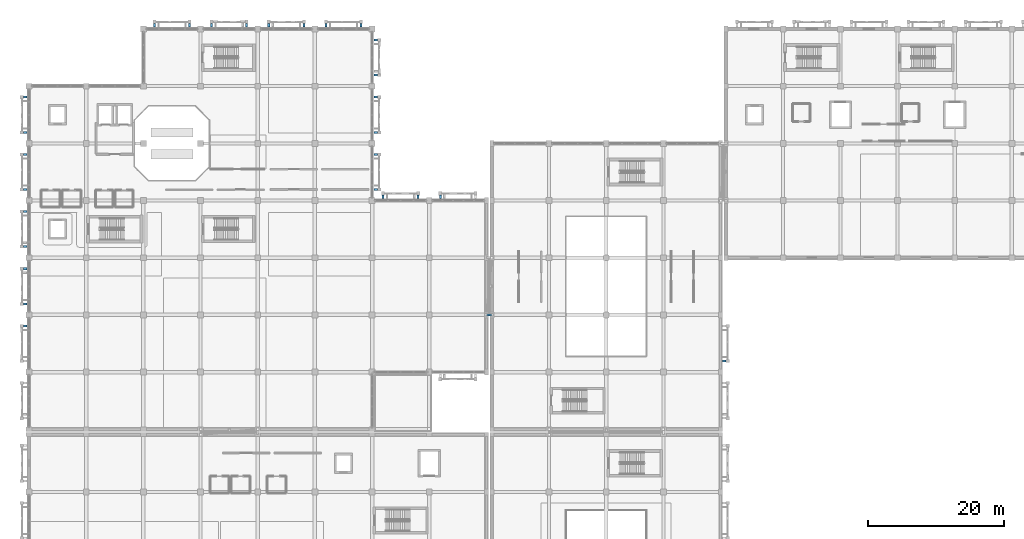
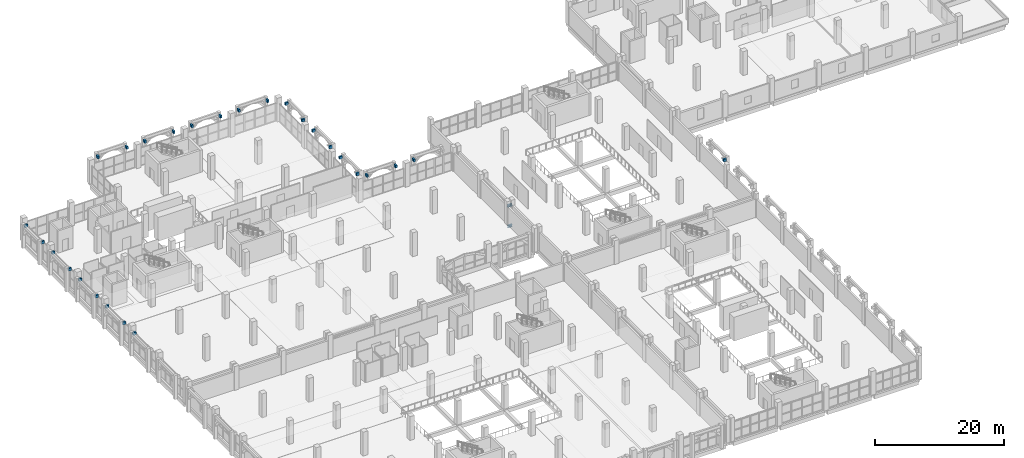
# One storey, part 82 of 137: 29 beams, 1 member.
"""IFC4 building model written with IfcOpenShell, lengths in metres."""

import ifcopenshell
import ifcopenshell.guid

model = None  # the IFC model being written
_history = None  # IfcOwnerHistory: only IFC2X3 demands one
_inside = {}  # id of a spatial element -> (the spatial element, [elements in it])
_under = {}  # id of a project, library or spatial element -> (it, [spatial elements below it])
_declared = {}  # id of a project -> (the project, [libraries it declares])
_typed = {}  # id of a type object -> (the type object, [elements of that type])
_made_of = {}  # id of a material, layer set ... -> (it, [elements and type objects made of it])


def new_model(schema):
    """Start an empty IFC model of exactly this schema.

    Asked for "IFC4X3", IfcOpenShell would pick the latest addendum, in which some entities
    have other attributes; the version numbers below select the first issue.
    IFC2X3 requires an IfcOwnerHistory on every rooted entity: one is made here for all.
    """
    global model, _history
    if schema == "IFC4X3":
        model = ifcopenshell.file(schema_version=(4, 3, 0, 0))
    else:
        model = ifcopenshell.file(schema=schema)
    _inside.clear()
    _under.clear()
    _declared.clear()
    _typed.clear()
    _made_of.clear()
    _history = None
    if model.schema == "IFC2X3":
        org = make("IfcOrganization", Name="unknown")
        user = make(
            "IfcPersonAndOrganization",
            ThePerson=make("IfcPerson", FamilyName="unknown"),
            TheOrganization=org,
        )
        app = make(
            "IfcApplication",
            ApplicationDeveloper=org,
            Version="unknown",
            ApplicationFullName="unknown",
            ApplicationIdentifier="unknown",
        )
        _history = make(
            "IfcOwnerHistory",
            OwningUser=user,
            OwningApplication=app,
            ChangeAction="ADDED",
            CreationDate=0,
        )
    return model


def make(cls, **values):
    """One entity of the class cls with the attributes given. An attribute that is None is left unset."""
    return model.create_entity(
        cls, **{name: value for name, value in values.items() if value is not None}
    )


def rooted(cls, **values):
    """An entity with a GlobalId (a new one), such as an element, a storey or a relation."""
    return make(cls, GlobalId=ifcopenshell.guid.new(), OwnerHistory=_history, **values)


def si_unit(unit_type, name, prefix=None):
    """IfcSIUnit, for example si_unit("LENGTHUNIT", "METRE", prefix="MILLI")."""
    return make("IfcSIUnit", UnitType=unit_type, Prefix=prefix, Name=name)


def assignment(units):
    """IfcUnitAssignment: the units of a project."""
    return None if units is None else make("IfcUnitAssignment", Units=units)


def point(xyz):
    """IfcCartesianPoint."""
    return None if xyz is None else make("IfcCartesianPoint", Coordinates=xyz)


def direction(xyz):
    """IfcDirection."""
    return None if xyz is None else make("IfcDirection", DirectionRatios=xyz)


def frame(location, z_axis=None, x_axis=None):
    """IfcAxis2Placement3D, a coordinate frame: its origin and axes. An axis left out is left unset."""
    return make(
        "IfcAxis2Placement3D",
        Location=point(location),
        Axis=direction(z_axis),
        RefDirection=direction(x_axis),
    )


def frame_2d(location, x_axis=None):
    """IfcAxis2Placement2D, a coordinate frame in the plane: its origin and x axis."""
    return make(
        "IfcAxis2Placement2D", Location=point(location), RefDirection=direction(x_axis)
    )


def origin():
    """The frame at (0, 0, 0) with its axes left unset."""
    return frame((0.0, 0.0, 0.0))


def origin_2d():
    """The frame at (0, 0) in the plane with its x axis left unset."""
    return frame_2d((0.0, 0.0))


def place(relative_to, where):
    """IfcLocalPlacement: puts the frame where relative to a parent placement (None: the world)."""
    return make(
        "IfcLocalPlacement", PlacementRelTo=relative_to, RelativePlacement=where
    )


def context(
    kind, dimensions, precision=None, world=None, true_north=None, identifier=None
):
    """IfcGeometricRepresentationContext, for example the 3D "Model" context."""
    return make(
        "IfcGeometricRepresentationContext",
        ContextIdentifier=identifier,
        ContextType=kind,
        CoordinateSpaceDimension=dimensions,
        Precision=precision,
        WorldCoordinateSystem=world,
        TrueNorth=true_north,
    )


def subcontext(parent, identifier, kind, view, scale=None):
    """IfcGeometricRepresentationSubContext, for example "Body" below "Model"."""
    return make(
        "IfcGeometricRepresentationSubContext",
        ContextIdentifier=identifier,
        ContextType=kind,
        ParentContext=parent,
        TargetScale=scale,
        TargetView=view,
    )


def project(units=None, contexts=None):
    """IfcProject with its units and contexts."""
    return rooted(
        "IfcProject",
        Name="project",
        RepresentationContexts=contexts,
        UnitsInContext=assignment(units),
    )


def spatial(cls, under=None, at=None, **own):
    """A site, building, storey or space (cls), placed at a placement, below another one or the project."""
    s = rooted(cls, ObjectPlacement=at, **own)
    if under is not None:
        _under.setdefault(under.id(), (under, []))[1].append(s)
    return s


def profile(cls, at=None, kind="AREA", **sizes):
    """A parametric profile (cls). Its sizes go by their IFC names, for example OverallWidth=200.0."""
    return make(cls, ProfileType=kind, Position=at, **sizes)


def rectangle(**sizes):
    """IfcRectangleProfileDef."""
    return profile("IfcRectangleProfileDef", **sizes)


def hollow_rectangle(**sizes):
    """IfcRectangleHollowProfileDef."""
    return profile("IfcRectangleHollowProfileDef", **sizes)


def i_section(**sizes):
    """IfcIShapeProfileDef."""
    return profile("IfcIShapeProfileDef", **sizes)


def extrude(swept, where, along, depth):
    """IfcExtrudedAreaSolid: the profile swept, set in the frame where, extruded along a direction by depth."""
    return make(
        "IfcExtrudedAreaSolid",
        SweptArea=swept,
        Position=where,
        ExtrudedDirection=direction(along),
        Depth=depth,
    )


def shape(context_of_items, identifier, shape_type, items):
    """IfcShapeRepresentation: the items that make up one representation, for example the "Body"."""
    return make(
        "IfcShapeRepresentation",
        ContextOfItems=context_of_items,
        RepresentationIdentifier=identifier,
        RepresentationType=shape_type,
        Items=items,
    )


def material(Name=None, Category=None):
    """IfcMaterial."""
    return make("IfcMaterial", Name=Name, Category=Category)


def material_profile(
    of_material, cross_section, Name=None, Category=None, Priority=None
):
    """IfcMaterialProfile: a cross section and its material."""
    return make(
        "IfcMaterialProfile",
        Name=Name,
        Material=of_material,
        Profile=cross_section,
        Priority=Priority,
        Category=Category,
    )


def profile_set(profiles, Name=None, composite=None):
    """IfcMaterialProfileSet."""
    return make(
        "IfcMaterialProfileSet",
        Name=Name,
        MaterialProfiles=profiles,
        CompositeProfile=composite,
    )


def made_of(thing, what):
    """Note that an element or type object is made of a material, layer set ...; save() writes the relation."""
    if what is not None:
        _made_of.setdefault(what.id(), (what, []))[1].append(thing)
    return thing


def type_object(cls, material=None, **own):
    """A type object (cls), such as IfcWallType, which elements share."""
    return made_of(rooted(cls, **own), material)


def element(
    cls,
    number,
    at=None,
    inside=None,
    cuts=None,
    type_object=None,
    material=None,
    context=None,
    identifier="Body",
    shape_type=None,
    held_by="IfcProductDefinitionShape",
    body=None,
    shapes=None,
    **own,
):
    """One element of the class cls, such as IfcWall. Its Tag is "e" and its number.

    at: its placement. inside: the storey or other place that contains it. cuts: it is an
    opening in that element (IfcRelVoidsElement). A single representation is given by context,
    identifier, shape_type and body (its items); several are given by shapes. held_by: the class
    of the entity that holds the representations. save() writes the other relations.
    """
    e = rooted(cls, Tag="e%d" % number, ObjectPlacement=at, **own)
    if body is not None:
        shapes = [shape(context, identifier, shape_type, body)]
    if shapes is not None:
        e.Representation = make(held_by, Representations=shapes)
    if inside is not None:
        _inside.setdefault(inside.id(), (inside, []))[1].append(e)
    if cuts is not None:
        rooted(
            "IfcRelVoidsElement", RelatingBuildingElement=cuts, RelatedOpeningElement=e
        )
    if type_object is not None:
        _typed.setdefault(type_object.id(), (type_object, []))[1].append(e)
    return made_of(e, material)


def aggregate(whole, parts):
    """IfcRelAggregates: a whole, such as a stair, and the parts it consists of."""
    return rooted("IfcRelAggregates", RelatingObject=whole, RelatedObjects=parts)


def save(model, path):
    """Write the relations noted so far, then the file.

    IfcRelAggregates (storeys below a building ...), IfcRelContainedInSpatialStructure (elements
    in a storey), IfcRelDefinesByType, IfcRelAssociatesMaterial and IfcRelDeclares: one each for
    every whole, place, type object, material and project.
    """
    for whole, parts in _under.values():
        aggregate(whole, parts)
    for where, things in _inside.values():
        rooted(
            "IfcRelContainedInSpatialStructure",
            RelatedElements=things,
            RelatingStructure=where,
        )
    for kind, things in _typed.values():
        rooted("IfcRelDefinesByType", RelatedObjects=things, RelatingType=kind)
    for what, things in _made_of.values():
        rooted("IfcRelAssociatesMaterial", RelatedObjects=things, RelatingMaterial=what)
    for by, libraries in _declared.values():
        rooted("IfcRelDeclares", RelatingContext=by, RelatedDefinitions=libraries)
    model.write(path)


model = new_model("IFC4")

# Units and contexts
model_context = context("Model", 3, precision=1e-05, world=origin(), true_north=direction((0.0, 1.0)))
body_context = subcontext(model_context, "Body", "Model", "MODEL_VIEW")
ifc_project = project(units=[si_unit("LENGTHUNIT", "METRE"), si_unit("AREAUNIT", "SQUARE_METRE"), si_unit("VOLUMEUNIT", "CUBIC_METRE"), si_unit("PLANEANGLEUNIT", "RADIAN"), si_unit("MASSUNIT", "GRAM", prefix="KILO")], contexts=[model_context])

# Site, building, storey
site_placement = place(None, origin())
site = spatial("IfcSite", under=ifc_project, at=site_placement, CompositionType="ELEMENT")
building_placement = place(site_placement, origin())
building = spatial("IfcBuilding", under=site, at=building_placement, Name="Xazarin Passage Department Store", CompositionType="ELEMENT")
storey_placement = place(building_placement, frame((0.0, 0.0, 5.39990234375)))
storey = spatial("IfcBuildingStorey", under=building, at=storey_placement, Name="L01", CompositionType="ELEMENT", Elevation=5.39990234375)

# Beams
ifc_material_1 = material(Name="Steel S355", Category="steel")
ifc_material_profile_1 = material_profile(ifc_material_1, i_section(OverallWidth=0.300048828125, OverallDepth=0.449951171875, WebThickness=0.013916015625, FlangeThickness=0.02587890625, FilletRadius=0.027099609375, at=origin_2d()), Name="HEB 450")
ifc_profile_set_1 = profile_set([ifc_material_profile_1], Name="Steel S355")
beam_type_1 = type_object("IfcBeamType", Name="STR-BM-BR450", PredefinedType="BEAM", material=ifc_profile_set_1)
beam_1_placement = place(storey_placement, frame((67.199951171875, 68.0, -0.56494140625), z_axis=(1.0, 0.0, 0.0), x_axis=(0.0, 1.0, 0.0)))
element("IfcBeam", 1, at=beam_1_placement, inside=storey, type_object=beam_type_1, Name="L01 BR-V1-V2N Bridge Girder A", PredefinedType="BEAM", context=body_context, shape_type="SweptSolid", body=[
    extrude(i_section(OverallWidth=0.300048828125, OverallDepth=0.449951171875, WebThickness=0.013916015625, FlangeThickness=0.02587890625, FilletRadius=0.027099609375, at=origin_2d()), origin(), (0.0, 0.0, 1.0), 0.800048828125),
])
ifc_material_profile_2 = material_profile(ifc_material_1, i_section(OverallWidth=0.260009765625, OverallDepth=0.25, WebThickness=0.007568359375, FlangeThickness=0.012451171875, FilletRadius=0.02392578125, at=origin_2d()), Name="HEA 260")
ifc_profile_set_2 = profile_set([ifc_material_profile_2], Name="Steel S355")
beam_type_2 = type_object("IfcBeamType", Name="STR-BM-CAN260", PredefinedType="BEAM", material=ifc_profile_set_2)
beam_2_placement = place(storey_placement, frame((67.199951171875, 68.0, 3.47509765625), z_axis=(1.0, 0.0, 0.0), x_axis=(0.0, 1.0, 0.0)))
element("IfcBeam", 2, at=beam_2_placement, inside=storey, type_object=beam_type_2, Name="L01 BR-V1-V2N Bridge Roof Beam A", PredefinedType="BEAM", context=body_context, shape_type="SweptSolid", body=[
    extrude(i_section(OverallWidth=0.260009765625, OverallDepth=0.25, WebThickness=0.007568359375, FlangeThickness=0.012451171875, FilletRadius=0.02392578125, at=origin_2d()), origin(), (0.0, 0.0, 1.0), 0.800048828125),
])
ifc_material_2 = material(Name="Concrete C35/45", Category="concrete")
ifc_material_profile_3 = material_profile(ifc_material_2, rectangle(XDim=0.300048828125, YDim=0.5, at=origin_2d()), Name="RC 300x500")
ifc_profile_set_3 = profile_set([ifc_material_profile_3], Name="Concrete C35/45")
beam_type_3 = type_object("IfcBeamType", Name="STR-BM-LN300x500", PredefinedType="LINTEL", material=ifc_profile_set_3)
for number, where, z_axis, x_axis, name in (
    (3, (18.419921875, 110.280029296875, 3.9501953125), (0.0, 1.0, 0.0), (-1.0, 0.0, 0.0), "L01 V1 Colonnade Tie Rib 001L"),
    (4, (23.580078125, 110.280029296875, 3.9501953125), (0.0, 1.0, 0.0), (-1.0, 0.0, 0.0), "L01 V1 Colonnade Tie Rib 001R"),
    (5, (26.820068359375, 110.280029296875, 3.9501953125), (0.0, 1.0, 0.0), (-1.0, 0.0, 0.0), "L01 V1 Colonnade Tie Rib 002L"),
    (6, (31.97998046875, 110.280029296875, 3.9501953125), (0.0, 1.0, 0.0), (-1.0, 0.0, 0.0), "L01 V1 Colonnade Tie Rib 002R"),
    (7, (35.219970703125, 110.280029296875, 3.9501953125), (0.0, 1.0, 0.0), (-1.0, 0.0, 0.0), "L01 V1 Colonnade Tie Rib 003L"),
    (8, (40.3798828125, 110.280029296875, 3.9501953125), (0.0, 1.0, 0.0), (-1.0, 0.0, 0.0), "L01 V1 Colonnade Tie Rib 003R"),
    (9, (43.6201171875, 110.280029296875, 3.9501953125), (0.0, 1.0, 0.0), (-1.0, 0.0, 0.0), "L01 V1 Colonnade Tie Rib 004L"),
    (10, (48.780029296875, 110.280029296875, 3.9501953125), (0.0, 1.0, 0.0), (-1.0, 0.0, 0.0), "L01 V1 Colonnade Tie Rib 004R"),
):
    element("IfcBeam", number, at=place(storey_placement, frame(where, z_axis=z_axis, x_axis=x_axis)), inside=storey, type_object=beam_type_3, Name=name, PredefinedType="LINTEL", context=body_context, shape_type="SweptSolid", body=[
        extrude(rectangle(XDim=0.300048828125, YDim=0.5, at=origin_2d()), origin(), (0.0, 0.0, 1.0), 0.550048828125),
    ])
for number, where, z_axis, x_axis, name in (
    (11, (52.02001953125, 85.080078125, 3.9501953125), (0.0, 1.0, 0.0), (-1.0, 0.0, 0.0), "L01 V1 Colonnade Tie Rib 005L"),
    (12, (57.179931640625, 85.080078125, 3.9501953125), (0.0, 1.0, 0.0), (-1.0, 0.0, 0.0), "L01 V1 Colonnade Tie Rib 005R"),
    (13, (60.419921875, 85.080078125, 3.9501953125), (0.0, 1.0, 0.0), (-1.0, 0.0, 0.0), "L01 V1 Colonnade Tie Rib 007L"),
):
    element("IfcBeam", number, at=place(storey_placement, frame(where, z_axis=z_axis, x_axis=x_axis)), inside=storey, type_object=beam_type_3, Name=name, PredefinedType="LINTEL", context=body_context, shape_type="SweptSolid", body=[
        extrude(rectangle(XDim=0.300048828125, YDim=0.5, at=origin_2d()), origin(), (0.0, 0.0, 1.0), 0.5498046875),
    ])
for number, where, z_axis, x_axis, name in (
    (14, (-0.280029296875, 66.3798828125, 3.9501953125), (-1.0, 0.0, 0.0), (0.0, -1.0, 0.0), "L01 V1 Colonnade Tie Rib 009R"),
    (15, (-0.280029296875, 69.6201171875, 3.9501953125), (-1.0, 0.0, 0.0), (0.0, -1.0, 0.0), "L01 V1 Colonnade Tie Rib 010L"),
    (16, (-0.280029296875, 74.780029296875, 3.9501953125), (-1.0, 0.0, 0.0), (0.0, -1.0, 0.0), "L01 V1 Colonnade Tie Rib 010R"),
    (17, (-0.280029296875, 78.02001953125, 3.9501953125), (-1.0, 0.0, 0.0), (0.0, -1.0, 0.0), "L01 V1 Colonnade Tie Rib 011L"),
    (18, (-0.280029296875, 83.179931640625, 3.9501953125), (-1.0, 0.0, 0.0), (0.0, -1.0, 0.0), "L01 V1 Colonnade Tie Rib 011R"),
    (19, (-0.280029296875, 86.419921875, 3.9501953125), (-1.0, 0.0, 0.0), (0.0, -1.0, 0.0), "L01 V1 Colonnade Tie Rib 012L"),
    (20, (-0.280029296875, 91.580078125, 3.9501953125), (-1.0, 0.0, 0.0), (0.0, -1.0, 0.0), "L01 V1 Colonnade Tie Rib 012R"),
    (21, (-0.280029296875, 94.820068359375, 3.9501953125), (-1.0, 0.0, 0.0), (0.0, -1.0, 0.0), "L01 V1 Colonnade Tie Rib 013L"),
    (22, (-0.280029296875, 99.97998046875, 3.9501953125), (-1.0, 0.0, 0.0), (0.0, -1.0, 0.0), "L01 V1 Colonnade Tie Rib 013R"),
    (23, (50.679931640625, 86.419921875, 3.9501953125), (1.0, 0.0, 0.0), (0.0, 1.0, 0.0), "L01 V1 Colonnade Tie Rib 014L"),
    (24, (50.679931640625, 91.580078125, 3.9501953125), (1.0, 0.0, 0.0), (0.0, 1.0, 0.0), "L01 V1 Colonnade Tie Rib 014R"),
    (25, (50.679931640625, 94.820068359375, 3.9501953125), (1.0, 0.0, 0.0), (0.0, 1.0, 0.0), "L01 V1 Colonnade Tie Rib 015L"),
    (26, (50.679931640625, 99.97998046875, 3.9501953125), (1.0, 0.0, 0.0), (0.0, 1.0, 0.0), "L01 V1 Colonnade Tie Rib 015R"),
    (27, (50.679931640625, 103.219970703125, 3.9501953125), (1.0, 0.0, 0.0), (0.0, 1.0, 0.0), "L01 V1 Colonnade Tie Rib 016L"),
    (28, (50.679931640625, 108.3798828125, 3.9501953125), (1.0, 0.0, 0.0), (0.0, 1.0, 0.0), "L01 V1 Colonnade Tie Rib 016R"),
    (29, (101.8798828125, 61.219970703125, 3.9501953125), (1.0, 0.0, 0.0), (0.0, 1.0, 0.0), "L01 V2N Colonnade Tie Rib 025L"),
):
    element("IfcBeam", number, at=place(storey_placement, frame(where, z_axis=z_axis, x_axis=x_axis)), inside=storey, type_object=beam_type_3, Name=name, PredefinedType="LINTEL", context=body_context, shape_type="SweptSolid", body=[
        extrude(rectangle(XDim=0.300048828125, YDim=0.5, at=origin_2d()), origin(), (0.0, 0.0, 1.0), 0.550048828125),
    ])

# Member
ifc_material_profile_4 = material_profile(ifc_material_1, hollow_rectangle(XDim=0.199951171875, YDim=0.300048828125, WallThickness=0.012451171875, at=origin_2d()), Name="RHS 300x200x12.5")
ifc_profile_set_4 = profile_set([ifc_material_profile_4], Name="Steel S355")
member_type = type_object("IfcMemberType", Name="STR-MEM-CH300", PredefinedType="CHORD", material=ifc_profile_set_4)
member_placement = place(storey_placement, frame((67.199951171875, 68.0, 3.25), z_axis=(1.0, 0.0, 0.0), x_axis=(0.0, 1.0, 0.0)))
element("IfcMember", 30, at=member_placement, inside=storey, type_object=member_type, Name="L01 BR-V1-V2N Bridge Chord A", PredefinedType="CHORD", context=body_context, shape_type="SweptSolid", body=[
    extrude(hollow_rectangle(XDim=0.199951171875, YDim=0.300048828125, WallThickness=0.012451171875, at=origin_2d()), origin(), (0.0, 0.0, 1.0), 0.800048828125),
])

save(model, "model.ifc")
